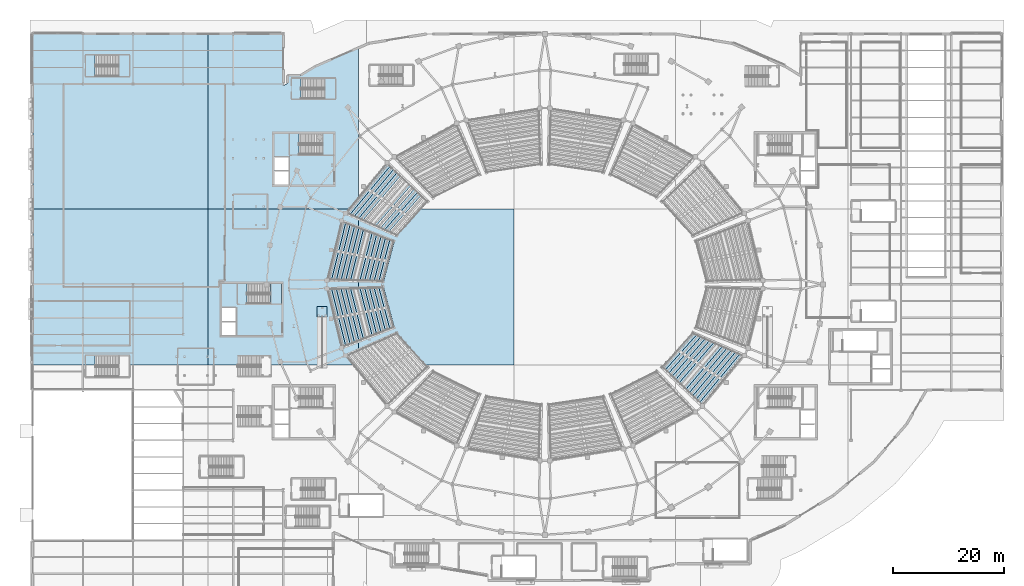
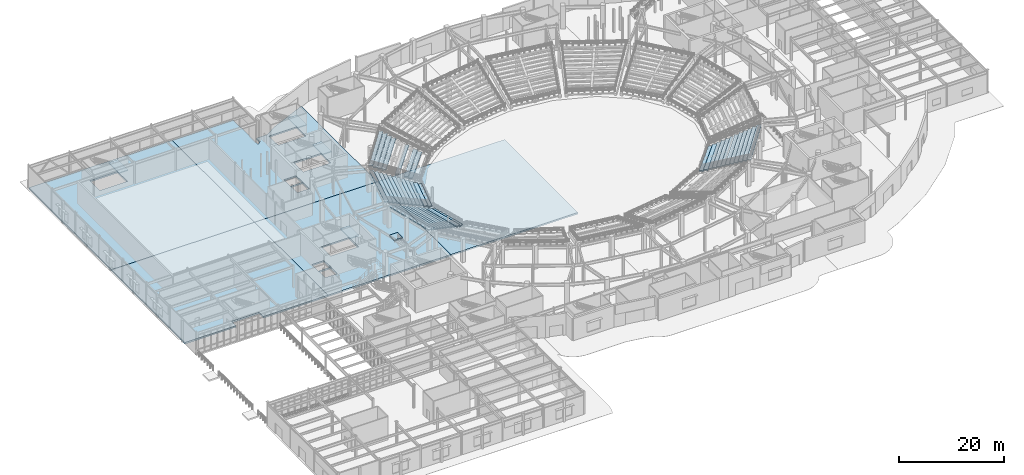
# One storey, part 44 of 79: 53 slabs, 5 elements without a shape of their own.
"""IFC4 building model written with IfcOpenShell, lengths in metres."""

from ifc_helpers import new_model, si_unit, direction, frame, origin, place, context, subcontext, project, spatial, polyline, outline, extrude, material, layer, layer_set, type_object, element, aggregate, save


model = new_model("IFC4")

# Units and contexts
model_context = context("Model", 3, precision=1e-05, world=origin(), true_north=direction((0.0, 1.0)))
body_context = subcontext(model_context, "Body", "Model", "MODEL_VIEW")
ifc_project = project(units=[si_unit("LENGTHUNIT", "METRE"), si_unit("AREAUNIT", "SQUARE_METRE"), si_unit("VOLUMEUNIT", "CUBIC_METRE"), si_unit("PLANEANGLEUNIT", "RADIAN"), si_unit("MASSUNIT", "GRAM", prefix="KILO")], contexts=[model_context])

# Site, building, storey
site_placement = place(None, origin())
site = spatial("IfcSite", under=ifc_project, at=site_placement, CompositionType="ELEMENT")
building_placement = place(site_placement, origin())
building = spatial("IfcBuilding", under=site, at=building_placement, Name="Glasvene Arena", CompositionType="ELEMENT")
storey_placement = place(building_placement, origin())
storey = spatial("IfcBuildingStorey", under=building, at=storey_placement, Name="L00", CompositionType="ELEMENT", Elevation=0.0)

# Slabs
ifc_material_1 = material(Name="Concrete C40/50", Category="concrete")
ifc_layer_1 = layer(ifc_material_1, 0.360107421875)
ifc_layer_set_1 = layer_set([ifc_layer_1], Name="Concrete C40/50")
slab_type_1 = type_object("IfcSlabType", Name="SL-L00-360", PredefinedType="FLOOR", material=ifc_layer_set_1)
slab_1_placement = place(storey_placement, frame((15.00048828125, 65.91259765625, -0.360107421875)))
element("IfcSlab", 1, at=slab_1_placement, inside=storey, type_object=slab_type_1, Name="Structural floor slab L00 sector 3-1 (27)", PredefinedType="FLOOR", context=body_context, shape_type="SweptSolid", body=[
    extrude(outline(polyline([(16.49951171875, 20.58740234375), (16.49951171875, -7.41259765625), (2.299560546875, -7.41259765625), (2.299560546875, -5.7626953125), (-3.798583984375, -5.7626953125), (-3.798583984375, -7.41259765625), (-15.00048828125, -7.41259765625), (-15.00048828125, 20.58740234375), (16.49951171875, 20.58740234375)])), origin(), (0.0, 0.0, 1.0), 0.360107421875),
])
slab_2_placement = place(storey_placement, frame((45.0, 72.5, -0.360107421875)))
element("IfcSlab", 2, at=slab_2_placement, inside=storey, type_object=slab_type_1, Name="Structural floor slab L00 sector 3-2 (28)", PredefinedType="FLOOR", context=body_context, shape_type="SweptSolid", body=[
    extrude(outline(polyline([(-13.5, 14.0), (13.5, 14.0), (13.5, -14.0), (-13.5, -14.0), (-13.5, 14.0)]), holes=[polyline([(-8.39990234375, -8.64990234375), (-8.39990234375, -6.199951171875), (-11.050048828125, -6.199951171875), (-11.050048828125, -8.64990234375), (-8.39990234375, -8.64990234375)]), polyline([(-8.39990234375, -6.10009765625), (-8.39990234375, -3.64990234375), (-11.050048828125, -3.64990234375), (-11.050048828125, -6.10009765625), (-8.39990234375, -6.10009765625)]), polyline([(-0.449951171875, -2.949951171875), (-0.449951171875, 0.60009765625), (-6.548095703125, 0.60009765625), (-6.548095703125, -2.949951171875), (-0.449951171875, -2.949951171875)])]), origin(), (0.0, 0.0, 1.0), 0.360107421875),
])
slab_3_placement = place(storey_placement, frame((72.5, 72.5, -0.360107421875)))
element("IfcSlab", 3, at=slab_3_placement, inside=storey, type_object=slab_type_1, Name="Structural floor slab L00 sector 3-3 (29)", PredefinedType="FLOOR", context=body_context, shape_type="SweptSolid", body=[
    extrude(outline(polyline([(-14.0, -14.0), (-14.0, 14.0), (14.0, 14.0), (14.0, -14.0), (-14.0, -14.0)])), origin(), (0.0, 0.0, 1.0), 0.360107421875),
])
slab_4_placement = place(storey_placement, frame((15.75, 102.25, -0.360107421875)))
element("IfcSlab", 4, at=slab_4_placement, inside=storey, type_object=slab_type_1, Name="Structural floor slab L00 sector 4-1 (33)", PredefinedType="FLOOR", context=body_context, shape_type="SweptSolid", body=[
    extrude(outline(polyline([(15.75, 15.75), (15.75, -15.75), (-15.75, -15.75), (-15.75, 15.75), (15.75, 15.75)]), holes=[polyline([(1.550048828125, 8.14990234375), (1.550048828125, 11.89990234375), (-4.548095703125, 11.89990234375), (-4.548095703125, 8.14990234375), (1.550048828125, 8.14990234375)])]), origin(), (0.0, 0.0, 1.0), 0.360107421875),
])
slab_5_placement = place(storey_placement, frame((46.05078125, 107.5517578125, -0.360107421875)))
element("IfcSlab", 5, at=slab_5_placement, inside=storey, type_object=slab_type_1, Name="Structural floor slab L00 sector 4-2 (34)", PredefinedType="FLOOR", context=body_context, shape_type="SweptSolid", body=[
    extrude(outline(polyline([(-1.05078125, 1.1005859375), (-0.250732421875, 1.583984375), (-0.250732421875, 2.998291015625), (2.0888671875, 2.998291015625), (4.716796875, 4.586669921875), (12.44921875, 7.940185546875), (12.44921875, -21.0517578125), (-14.55078125, -21.0517578125), (-14.55078125, 10.4482421875), (-1.05078125, 10.4482421875), (-1.05078125, 1.1005859375)]), holes=[polyline([(0.04931640625, -16.601806640625), (0.04931640625, -14.15185546875), (-2.600830078125, -14.15185546875), (-2.600830078125, -16.601806640625), (0.04931640625, -16.601806640625)]), polyline([(0.04931640625, -14.0517578125), (0.04931640625, -11.601806640625), (-2.600830078125, -11.601806640625), (-2.600830078125, -14.0517578125), (0.04931640625, -14.0517578125)]), polyline([(7.899169921875, -11.20166015625), (7.899169921875, -7.5517578125), (1.80126953125, -7.5517578125), (1.80126953125, -11.20166015625), (7.899169921875, -11.20166015625)]), polyline([(2.151123046875, -1.15185546875), (8.249267578125, -1.15185546875), (8.249267578125, 2.398193359375), (2.151123046875, 2.398193359375), (2.151123046875, -1.15185546875)])]), origin(), (0.0, 0.0, 1.0), 0.360107421875),
])

# Stair, slab
stair_type_1 = type_object("IfcStairType", Name="ST-HT-540-170", PredefinedType="HALF_TURN_STAIR", material=ifc_material_1)
stair_1_placement = place(storey_placement, origin())
stair_1 = element("IfcStair", 6, at=stair_1_placement, inside=storey, type_object=stair_type_1, Name="Protected escape stair ST-01 (L00 to L01)", PredefinedType="HALF_TURN_STAIR")
ifc_layer_2 = layer(ifc_material_1, 0.219970703125)
ifc_layer_set_2 = layer_set([ifc_layer_2], Name="Concrete C40/50")
slab_type_2 = type_object("IfcSlabType", Name="SL-LAND-220", PredefinedType="LANDING", material=ifc_layer_set_2)
slab_6_placement = place(storey_placement, frame((53.050048828125, 98.175048828125, 2.47998046875)))
slab_6 = element("IfcSlab", 7, at=slab_6_placement, type_object=slab_type_2, Name="Protected escape stair ST-01 (L00 to L01) landing 1", PredefinedType="LANDING", context=body_context, shape_type="SweptSolid", body=[
    extrude(outline(polyline([(-1.0, -1.925048828125), (1.0, -1.925048828125), (1.0, 1.925048828125), (-1.0, 1.925048828125), (-1.0, -1.925048828125)])), origin(), (0.0, 0.0, 1.0), 0.219970703125),
])
aggregate(stair_1, [slab_6])

stair_type_2 = type_object("IfcStairType", Name="ST-HT-540-165", PredefinedType="HALF_TURN_STAIR", material=ifc_material_1)
stair_2_placement = place(storey_placement, origin())
stair_2 = element("IfcStair", 8, at=stair_2_placement, inside=storey, type_object=stair_type_2, Name="Protected escape stair ST-07 (L00 to L01)", PredefinedType="HALF_TURN_STAIR")
slab_7_placement = place(storey_placement, frame((43.64990234375, 71.324951171875, 2.47998046875)))
slab_7 = element("IfcSlab", 9, at=slab_7_placement, type_object=slab_type_2, Name="Protected escape stair ST-07 (L00 to L01) landing 1", PredefinedType="LANDING", context=body_context, shape_type="SweptSolid", body=[
    extrude(outline(polyline([(-1.0, -1.875), (1.0, -1.875), (1.0, 1.875), (-1.0, 1.875), (-1.0, -1.875)])), origin(), (0.0, 0.0, 1.0), 0.219970703125),
])
aggregate(stair_2, [slab_7])

stair_3_placement = place(storey_placement, origin())
stair_3 = element("IfcStair", 10, at=stair_3_placement, inside=storey, type_object=stair_type_2, Name="Protected escape stair ST-12 (L00 to L01)", PredefinedType="HALF_TURN_STAIR")
slab_8_placement = place(storey_placement, frame((53.39990234375, 108.175048828125, 2.47998046875)))
slab_8 = element("IfcSlab", 11, at=slab_8_placement, type_object=slab_type_2, Name="Protected escape stair ST-12 (L00 to L01) landing 1", PredefinedType="LANDING", context=body_context, shape_type="SweptSolid", body=[
    extrude(outline(polyline([(-1.0, -1.875), (1.0, -1.875), (1.0, 1.875), (-1.0, 1.875), (-1.0, -1.875)])), origin(), (0.0, 0.0, 1.0), 0.219970703125),
])
aggregate(stair_3, [slab_8])

stair_type_3 = type_object("IfcStairType", Name="ST-HT-540-175", PredefinedType="HALF_TURN_STAIR", material=ifc_material_1)
stair_4_placement = place(storey_placement, origin())
stair_4 = element("IfcStair", 12, at=stair_4_placement, inside=storey, type_object=stair_type_3, Name="Protected escape stair ST-14 (L00 to L01)", PredefinedType="HALF_TURN_STAIR")
slab_9_placement = place(storey_placement, frame((16.39990234375, 112.27490234375, 2.47998046875)))
slab_9 = element("IfcSlab", 13, at=slab_9_placement, type_object=slab_type_2, Name="Protected escape stair ST-14 (L00 to L01) landing 1", PredefinedType="LANDING", context=body_context, shape_type="SweptSolid", body=[
    extrude(outline(polyline([(-1.0, -1.974853515625), (1.0, -1.974853515625), (1.0, 1.97509765625), (-1.0, 1.97509765625), (-1.0, -1.974853515625)])), origin(), (0.0, 0.0, 1.0), 0.219970703125),
])
aggregate(stair_4, [slab_9])

# Ramp, slab
ramp_type = type_object("IfcRampType", Name="RP-PED-180", PredefinedType="STRAIGHT_RUN_RAMP", material=ifc_material_1)
ramp_placement = place(storey_placement, origin())
ramp = element("IfcRamp", 14, at=ramp_placement, inside=storey, type_object=ramp_type, Name="Accessible 1:12 pedestrian ramp RP-P1", PredefinedType="STRAIGHT_RUN_RAMP")
ifc_layer_3 = layer(ifc_material_1, 0.25)
ifc_layer_set_3 = layer_set([ifc_layer_3], Name="Concrete C40/50")
slab_type_3 = type_object("IfcSlabType", Name="SL-LAND-250", PredefinedType="LANDING", material=ifc_layer_set_3)
slab_10_placement = place(storey_placement, frame((52.0, 68.06005859375, 0.510009765625)))
slab_10 = element("IfcSlab", 15, at=slab_10_placement, type_object=slab_type_3, Name="Accessible 1:12 pedestrian ramp RP-P1 landing 1", PredefinedType="LANDING", context=body_context, shape_type="SweptSolid", body=[
    extrude(outline(polyline([(-0.89990234375, -0.93994140625), (0.89990234375, -0.93994140625), (0.89990234375, 0.93994140625), (-0.89990234375, 0.93994140625), (-0.89990234375, -0.93994140625)])), origin(), (0.0, 0.0, 1.0), 0.25),
])
aggregate(ramp, [slab_10])

# Slabs
ifc_material_2 = material(Name="Precast concrete C50/60", Category="concrete")
ifc_layer_4 = layer(ifc_material_2, 0.219970703125)
ifc_layer_set_4 = layer_set([ifc_layer_4], Name="Precast concrete C50/60")
slab_type_4 = type_object("IfcSlabType", Name="SL-TIER-LOW", PredefinedType="USERDEFINED", material=ifc_layer_set_4)
slab_11_placement = place(storey_placement, frame((66.509765625, 85.927978515625, 1.300048828125)))
element("IfcSlab", 16, at=slab_11_placement, inside=storey, type_object=slab_type_4, Name="Stand lower tier sector 07 row 03", ObjectType="SEATING TIER", PredefinedType="USERDEFINED", context=body_context, shape_type="SweptSolid", body=[
    extrude(outline(polyline([(3.295166015625, 3.1005859375), (-2.59912109375, -3.565673828125), (-3.376708984375, -3.22265625), (2.6806640625, 3.687744140625), (3.295166015625, 3.1005859375)])), origin(), (0.0, 0.0, 1.0), 0.219970703125),
])
slab_12_placement = place(storey_placement, frame((65.813720703125, 86.39306640625, 1.679931640625)))
element("IfcSlab", 17, at=slab_12_placement, inside=storey, type_object=slab_type_4, Name="Stand lower tier sector 07 row 04", ObjectType="SEATING TIER", PredefinedType="USERDEFINED", context=body_context, shape_type="SweptSolid", body=[
    extrude(outline(polyline([(3.376708984375, 3.22265625), (-2.6806640625, -3.687744140625), (-3.45849609375, -3.3447265625), (2.76220703125, 3.809814453125), (3.376708984375, 3.22265625)])), origin(), (0.0, 0.0, 1.0), 0.219970703125),
])
slab_13_placement = place(storey_placement, frame((64.42138671875, 87.3232421875, 2.43994140625)))
element("IfcSlab", 18, at=slab_13_placement, inside=storey, type_object=slab_type_4, Name="Stand lower tier sector 07 row 06", ObjectType="SEATING TIER", PredefinedType="USERDEFINED", context=body_context, shape_type="SweptSolid", body=[
    extrude(outline(polyline([(3.539794921875, 3.467041015625), (-2.84375, -3.931884765625), (-3.62158203125, -3.5888671875), (2.92529296875, 4.05419921875), (3.539794921875, 3.467041015625)])), origin(), (0.0, 0.0, 1.0), 0.219970703125),
])
slab_14_placement = place(storey_placement, frame((62.3330078125, 88.71875, 3.580078125)))
element("IfcSlab", 19, at=slab_14_placement, inside=storey, type_object=slab_type_4, Name="Stand lower tier sector 07 row 09", ObjectType="SEATING TIER", PredefinedType="USERDEFINED", context=body_context, shape_type="SweptSolid", body=[
    extrude(outline(polyline([(3.784912109375, 3.833251953125), (-3.088623046875, -4.29833984375), (-3.8662109375, -3.95556640625), (3.17041015625, 4.42041015625), (3.784912109375, 3.833251953125)])), origin(), (0.0, 0.0, 1.0), 0.219970703125),
])
slab_15_placement = place(storey_placement, frame((61.636962890625, 89.183837890625, 3.9599609375)))
element("IfcSlab", 20, at=slab_15_placement, inside=storey, type_object=slab_type_4, Name="Stand lower tier sector 07 row 10", ObjectType="SEATING TIER", PredefinedType="USERDEFINED", context=body_context, shape_type="SweptSolid", body=[
    extrude(outline(polyline([(3.866455078125, 3.955322265625), (-3.170166015625, -4.420654296875), (-3.947998046875, -4.077392578125), (3.251708984375, 4.542724609375), (3.866455078125, 3.955322265625)])), origin(), (0.0, 0.0, 1.0), 0.219970703125),
])
slab_16_placement = place(storey_placement, frame((60.94091796875, 89.64892578125, 4.340087890625)))
element("IfcSlab", 21, at=slab_16_placement, inside=storey, type_object=slab_type_4, Name="Stand lower tier sector 07 row 11", ObjectType="SEATING TIER", PredefinedType="USERDEFINED", context=body_context, shape_type="SweptSolid", body=[
    extrude(outline(polyline([(3.94775390625, 4.07763671875), (-3.251953125, -4.54248046875), (-4.029541015625, -4.199462890625), (3.333251953125, 4.664794921875), (3.94775390625, 4.07763671875)])), origin(), (0.0, 0.0, 1.0), 0.219970703125),
])
slab_17_placement = place(storey_placement, frame((60.24462890625, 90.114013671875, 4.719970703125)))
element("IfcSlab", 22, at=slab_17_placement, inside=storey, type_object=slab_type_4, Name="Stand lower tier sector 07 row 12", ObjectType="SEATING TIER", PredefinedType="USERDEFINED", context=body_context, shape_type="SweptSolid", body=[
    extrude(outline(polyline([(4.029541015625, 4.19970703125), (-3.333251953125, -4.66455078125), (-4.111083984375, -4.321533203125), (3.4150390625, 4.786865234375), (4.029541015625, 4.19970703125)])), origin(), (0.0, 0.0, 1.0), 0.219970703125),
])
slab_18_placement = place(storey_placement, frame((63.574462890625, 77.213134765625, 0.5400390625)))
element("IfcSlab", 23, at=slab_18_placement, inside=storey, type_object=slab_type_4, Name="Stand lower tier sector 08 row 01", ObjectType="SEATING TIER", PredefinedType="USERDEFINED", context=body_context, shape_type="SweptSolid", body=[
    extrude(outline(polyline([(1.38818359375, 3.561767578125), (-0.56689453125, -3.725341796875), (-1.416748046875, -3.7060546875), (0.595703125, 3.869140625), (1.38818359375, 3.561767578125)])), origin(), (0.0, 0.0, 1.0), 0.219970703125),
])
slab_19_placement = place(storey_placement, frame((62.75341796875, 77.37646484375, 0.919921875)))
element("IfcSlab", 24, at=slab_19_placement, inside=storey, type_object=slab_type_4, Name="Stand lower tier sector 08 row 02", ObjectType="SEATING TIER", PredefinedType="USERDEFINED", context=body_context, shape_type="SweptSolid", body=[
    extrude(outline(polyline([(1.416748046875, 3.705810546875), (-0.595703125, -3.869384765625), (-1.445556640625, -3.85009765625), (0.624267578125, 4.01318359375), (1.416748046875, 3.705810546875)])), origin(), (0.0, 0.0, 1.0), 0.219970703125),
])
slab_20_placement = place(storey_placement, frame((61.93212890625, 77.539794921875, 1.300048828125)))
element("IfcSlab", 25, at=slab_20_placement, inside=storey, type_object=slab_type_4, Name="Stand lower tier sector 08 row 03", ObjectType="SEATING TIER", PredefinedType="USERDEFINED", context=body_context, shape_type="SweptSolid", body=[
    extrude(outline(polyline([(1.445556640625, 3.849853515625), (-0.624267578125, -4.013427734375), (-1.47412109375, -3.994140625), (0.653076171875, 4.1572265625), (1.445556640625, 3.849853515625)])), origin(), (0.0, 0.0, 1.0), 0.219970703125),
])
slab_21_placement = place(storey_placement, frame((61.111083984375, 77.703125, 1.679931640625)))
element("IfcSlab", 26, at=slab_21_placement, inside=storey, type_object=slab_type_4, Name="Stand lower tier sector 08 row 04", ObjectType="SEATING TIER", PredefinedType="USERDEFINED", context=body_context, shape_type="SweptSolid", body=[
    extrude(outline(polyline([(1.47412109375, 3.993896484375), (-0.653076171875, -4.157470703125), (-1.502685546875, -4.13818359375), (0.681640625, 4.30126953125), (1.47412109375, 3.993896484375)])), origin(), (0.0, 0.0, 1.0), 0.219970703125),
])
slab_22_placement = place(storey_placement, frame((60.2900390625, 77.866455078125, 2.06005859375)))
element("IfcSlab", 27, at=slab_22_placement, inside=storey, type_object=slab_type_4, Name="Stand lower tier sector 08 row 05", ObjectType="SEATING TIER", PredefinedType="USERDEFINED", context=body_context, shape_type="SweptSolid", body=[
    extrude(outline(polyline([(1.502685546875, 4.137939453125), (-0.681640625, -4.301513671875), (-1.531494140625, -4.2822265625), (0.710205078125, 4.4453125), (1.502685546875, 4.137939453125)])), origin(), (0.0, 0.0, 1.0), 0.219970703125),
])
slab_23_placement = place(storey_placement, frame((59.46875, 78.02978515625, 2.43994140625)))
element("IfcSlab", 28, at=slab_23_placement, inside=storey, type_object=slab_type_4, Name="Stand lower tier sector 08 row 06", ObjectType="SEATING TIER", PredefinedType="USERDEFINED", context=body_context, shape_type="SweptSolid", body=[
    extrude(outline(polyline([(1.531494140625, 4.281982421875), (-0.710205078125, -4.445556640625), (-1.56005859375, -4.42626953125), (0.739013671875, 4.58935546875), (1.531494140625, 4.281982421875)])), origin(), (0.0, 0.0, 1.0), 0.219970703125),
])
slab_24_placement = place(storey_placement, frame((58.647705078125, 78.193115234375, 2.820068359375)))
element("IfcSlab", 29, at=slab_24_placement, inside=storey, type_object=slab_type_4, Name="Stand lower tier sector 08 row 07", ObjectType="SEATING TIER", PredefinedType="USERDEFINED", context=body_context, shape_type="SweptSolid", body=[
    extrude(outline(polyline([(1.56005859375, 4.426025390625), (-0.739013671875, -4.589599609375), (-1.588623046875, -4.5703125), (0.767578125, 4.7333984375), (1.56005859375, 4.426025390625)])), origin(), (0.0, 0.0, 1.0), 0.219970703125),
])
slab_25_placement = place(storey_placement, frame((57.82666015625, 78.3564453125, 3.199951171875)))
element("IfcSlab", 30, at=slab_25_placement, inside=storey, type_object=slab_type_4, Name="Stand lower tier sector 08 row 08", ObjectType="SEATING TIER", PredefinedType="USERDEFINED", context=body_context, shape_type="SweptSolid", body=[
    extrude(outline(polyline([(1.588623046875, 4.570068359375), (-0.767578125, -4.733642578125), (-1.617431640625, -4.71435546875), (0.796142578125, 4.87744140625), (1.588623046875, 4.570068359375)])), origin(), (0.0, 0.0, 1.0), 0.219970703125),
])
slab_26_placement = place(storey_placement, frame((57.00537109375, 78.519775390625, 3.580078125)))
element("IfcSlab", 31, at=slab_26_placement, inside=storey, type_object=slab_type_4, Name="Stand lower tier sector 08 row 09", ObjectType="SEATING TIER", PredefinedType="USERDEFINED", context=body_context, shape_type="SweptSolid", body=[
    extrude(outline(polyline([(1.617431640625, 4.714111328125), (-0.796142578125, -4.877685546875), (-1.64599609375, -4.8583984375), (0.824951171875, 5.021728515625), (1.617431640625, 4.714111328125)])), origin(), (0.0, 0.0, 1.0), 0.219970703125),
])
slab_27_placement = place(storey_placement, frame((56.184326171875, 78.68310546875, 3.9599609375)))
element("IfcSlab", 32, at=slab_27_placement, inside=storey, type_object=slab_type_4, Name="Stand lower tier sector 08 row 10", ObjectType="SEATING TIER", PredefinedType="USERDEFINED", context=body_context, shape_type="SweptSolid", body=[
    extrude(outline(polyline([(1.64599609375, 4.8583984375), (-0.824951171875, -5.021728515625), (-1.674560546875, -5.00244140625), (0.853515625, 5.16552734375), (1.64599609375, 4.8583984375)])), origin(), (0.0, 0.0, 1.0), 0.219970703125),
])
slab_28_placement = place(storey_placement, frame((55.36328125, 78.846435546875, 4.340087890625)))
element("IfcSlab", 33, at=slab_28_placement, inside=storey, type_object=slab_type_4, Name="Stand lower tier sector 08 row 11", ObjectType="SEATING TIER", PredefinedType="USERDEFINED", context=body_context, shape_type="SweptSolid", body=[
    extrude(outline(polyline([(1.674560546875, 5.002197265625), (-0.853515625, -5.165771484375), (-1.703369140625, -5.146484375), (0.882080078125, 5.3095703125), (1.674560546875, 5.002197265625)])), origin(), (0.0, 0.0, 1.0), 0.219970703125),
])
slab_29_placement = place(storey_placement, frame((54.5419921875, 79.009765625, 4.719970703125)))
element("IfcSlab", 34, at=slab_29_placement, inside=storey, type_object=slab_type_4, Name="Stand lower tier sector 08 row 12", ObjectType="SEATING TIER", PredefinedType="USERDEFINED", context=body_context, shape_type="SweptSolid", body=[
    extrude(outline(polyline([(1.703369140625, 5.146240234375), (-0.882080078125, -5.309814453125), (-1.73193359375, -5.29052734375), (0.910888671875, 5.45361328125), (1.703369140625, 5.146240234375)])), origin(), (0.0, 0.0, 1.0), 0.219970703125),
])
slab_30_placement = place(storey_placement, frame((63.574462890625, 68.786865234375, 0.5400390625)))
element("IfcSlab", 35, at=slab_30_placement, inside=storey, type_object=slab_type_4, Name="Stand lower tier sector 09 row 01", ObjectType="SEATING TIER", PredefinedType="USERDEFINED", context=body_context, shape_type="SweptSolid", body=[
    extrude(outline(polyline([(-0.56689453125, 3.725341796875), (1.38818359375, -3.561767578125), (0.595703125, -3.869140625), (-1.416748046875, 3.7060546875), (-0.56689453125, 3.725341796875)])), origin(), (0.0, 0.0, 1.0), 0.219970703125),
])
slab_31_placement = place(storey_placement, frame((62.75341796875, 68.62353515625, 0.919921875)))
element("IfcSlab", 36, at=slab_31_placement, inside=storey, type_object=slab_type_4, Name="Stand lower tier sector 09 row 02", ObjectType="SEATING TIER", PredefinedType="USERDEFINED", context=body_context, shape_type="SweptSolid", body=[
    extrude(outline(polyline([(-0.595703125, 3.869384765625), (1.416748046875, -3.705810546875), (0.624267578125, -4.01318359375), (-1.445556640625, 3.85009765625), (-0.595703125, 3.869384765625)])), origin(), (0.0, 0.0, 1.0), 0.219970703125),
])
slab_32_placement = place(storey_placement, frame((61.93212890625, 68.460205078125, 1.300048828125)))
element("IfcSlab", 37, at=slab_32_placement, inside=storey, type_object=slab_type_4, Name="Stand lower tier sector 09 row 03", ObjectType="SEATING TIER", PredefinedType="USERDEFINED", context=body_context, shape_type="SweptSolid", body=[
    extrude(outline(polyline([(-0.624267578125, 4.013427734375), (1.445556640625, -3.849853515625), (0.653076171875, -4.1572265625), (-1.47412109375, 3.994140625), (-0.624267578125, 4.013427734375)])), origin(), (0.0, 0.0, 1.0), 0.219970703125),
])
slab_33_placement = place(storey_placement, frame((61.111083984375, 68.296875, 1.679931640625)))
element("IfcSlab", 38, at=slab_33_placement, inside=storey, type_object=slab_type_4, Name="Stand lower tier sector 09 row 04", ObjectType="SEATING TIER", PredefinedType="USERDEFINED", context=body_context, shape_type="SweptSolid", body=[
    extrude(outline(polyline([(-0.653076171875, 4.157470703125), (1.47412109375, -3.993896484375), (0.681640625, -4.30126953125), (-1.502685546875, 4.13818359375), (-0.653076171875, 4.157470703125)])), origin(), (0.0, 0.0, 1.0), 0.219970703125),
])
slab_34_placement = place(storey_placement, frame((60.2900390625, 68.133544921875, 2.06005859375)))
element("IfcSlab", 39, at=slab_34_placement, inside=storey, type_object=slab_type_4, Name="Stand lower tier sector 09 row 05", ObjectType="SEATING TIER", PredefinedType="USERDEFINED", context=body_context, shape_type="SweptSolid", body=[
    extrude(outline(polyline([(-0.681640625, 4.301513671875), (1.502685546875, -4.137939453125), (0.710205078125, -4.4453125), (-1.531494140625, 4.2822265625), (-0.681640625, 4.301513671875)])), origin(), (0.0, 0.0, 1.0), 0.219970703125),
])
slab_35_placement = place(storey_placement, frame((59.46875, 67.97021484375, 2.43994140625)))
element("IfcSlab", 40, at=slab_35_placement, inside=storey, type_object=slab_type_4, Name="Stand lower tier sector 09 row 06", ObjectType="SEATING TIER", PredefinedType="USERDEFINED", context=body_context, shape_type="SweptSolid", body=[
    extrude(outline(polyline([(-0.710205078125, 4.445556640625), (1.531494140625, -4.281982421875), (0.739013671875, -4.58935546875), (-1.56005859375, 4.42626953125), (-0.710205078125, 4.445556640625)])), origin(), (0.0, 0.0, 1.0), 0.219970703125),
])
slab_36_placement = place(storey_placement, frame((58.647705078125, 67.806884765625, 2.820068359375)))
element("IfcSlab", 41, at=slab_36_placement, inside=storey, type_object=slab_type_4, Name="Stand lower tier sector 09 row 07", ObjectType="SEATING TIER", PredefinedType="USERDEFINED", context=body_context, shape_type="SweptSolid", body=[
    extrude(outline(polyline([(-0.739013671875, 4.589599609375), (1.56005859375, -4.426025390625), (0.767578125, -4.7333984375), (-1.588623046875, 4.5703125), (-0.739013671875, 4.589599609375)])), origin(), (0.0, 0.0, 1.0), 0.219970703125),
])
slab_37_placement = place(storey_placement, frame((57.82666015625, 67.6435546875, 3.199951171875)))
element("IfcSlab", 42, at=slab_37_placement, inside=storey, type_object=slab_type_4, Name="Stand lower tier sector 09 row 08", ObjectType="SEATING TIER", PredefinedType="USERDEFINED", context=body_context, shape_type="SweptSolid", body=[
    extrude(outline(polyline([(-0.767578125, 4.733642578125), (1.588623046875, -4.570068359375), (0.796142578125, -4.87744140625), (-1.617431640625, 4.71435546875), (-0.767578125, 4.733642578125)])), origin(), (0.0, 0.0, 1.0), 0.219970703125),
])
slab_38_placement = place(storey_placement, frame((57.00537109375, 67.480224609375, 3.580078125)))
element("IfcSlab", 43, at=slab_38_placement, inside=storey, type_object=slab_type_4, Name="Stand lower tier sector 09 row 09", ObjectType="SEATING TIER", PredefinedType="USERDEFINED", context=body_context, shape_type="SweptSolid", body=[
    extrude(outline(polyline([(-0.796142578125, 4.877685546875), (1.617431640625, -4.714111328125), (0.824951171875, -5.021728515625), (-1.64599609375, 4.8583984375), (-0.796142578125, 4.877685546875)])), origin(), (0.0, 0.0, 1.0), 0.219970703125),
])
slab_39_placement = place(storey_placement, frame((56.184326171875, 67.31689453125, 3.9599609375)))
element("IfcSlab", 44, at=slab_39_placement, inside=storey, type_object=slab_type_4, Name="Stand lower tier sector 09 row 10", ObjectType="SEATING TIER", PredefinedType="USERDEFINED", context=body_context, shape_type="SweptSolid", body=[
    extrude(outline(polyline([(-0.824951171875, 5.021728515625), (1.64599609375, -4.8583984375), (0.853515625, -5.16552734375), (-1.674560546875, 5.00244140625), (-0.824951171875, 5.021728515625)])), origin(), (0.0, 0.0, 1.0), 0.219970703125),
])
slab_40_placement = place(storey_placement, frame((55.36328125, 67.153564453125, 4.340087890625)))
element("IfcSlab", 45, at=slab_40_placement, inside=storey, type_object=slab_type_4, Name="Stand lower tier sector 09 row 11", ObjectType="SEATING TIER", PredefinedType="USERDEFINED", context=body_context, shape_type="SweptSolid", body=[
    extrude(outline(polyline([(-0.853515625, 5.165771484375), (1.674560546875, -5.002197265625), (0.882080078125, -5.3095703125), (-1.703369140625, 5.146484375), (-0.853515625, 5.165771484375)])), origin(), (0.0, 0.0, 1.0), 0.219970703125),
])
slab_41_placement = place(storey_placement, frame((54.5419921875, 66.990234375, 4.719970703125)))
element("IfcSlab", 46, at=slab_41_placement, inside=storey, type_object=slab_type_4, Name="Stand lower tier sector 09 row 12", ObjectType="SEATING TIER", PredefinedType="USERDEFINED", context=body_context, shape_type="SweptSolid", body=[
    extrude(outline(polyline([(-0.882080078125, 5.309814453125), (1.703369140625, -5.146240234375), (0.910888671875, -5.45361328125), (-1.73193359375, 5.29052734375), (-0.882080078125, 5.309814453125)])), origin(), (0.0, 0.0, 1.0), 0.219970703125),
])
slab_42_placement = place(storey_placement, frame((116.097900390625, 61.00244140625, 0.5400390625)))
element("IfcSlab", 47, at=slab_42_placement, inside=storey, type_object=slab_type_4, Name="Stand lower tier sector 15 row 01", ObjectType="SEATING TIER", PredefinedType="USERDEFINED", context=body_context, shape_type="SweptSolid", body=[
    extrude(outline(polyline([(-3.1318359375, -2.8564453125), (2.435791015625, 3.3212890625), (3.213623046875, 2.978271484375), (-2.517333984375, -3.443603515625), (-3.1318359375, -2.8564453125)])), origin(), (0.0, 0.0, 1.0), 0.219970703125),
])
slab_43_placement = place(storey_placement, frame((116.794189453125, 60.537109375, 0.919921875)))
element("IfcSlab", 48, at=slab_43_placement, inside=storey, type_object=slab_type_4, Name="Stand lower tier sector 15 row 02", ObjectType="SEATING TIER", PredefinedType="USERDEFINED", context=body_context, shape_type="SweptSolid", body=[
    extrude(outline(polyline([(-3.213623046875, -2.978271484375), (2.517333984375, 3.443603515625), (3.295166015625, 3.1005859375), (-2.59912109375, -3.565673828125), (-3.213623046875, -2.978271484375)])), origin(), (0.0, 0.0, 1.0), 0.219970703125),
])
slab_44_placement = place(storey_placement, frame((117.490234375, 60.072021484375, 1.300048828125)))
element("IfcSlab", 49, at=slab_44_placement, inside=storey, type_object=slab_type_4, Name="Stand lower tier sector 15 row 03", ObjectType="SEATING TIER", PredefinedType="USERDEFINED", context=body_context, shape_type="SweptSolid", body=[
    extrude(outline(polyline([(-3.295166015625, -3.1005859375), (2.59912109375, 3.565673828125), (3.376708984375, 3.22265625), (-2.6806640625, -3.687744140625), (-3.295166015625, -3.1005859375)])), origin(), (0.0, 0.0, 1.0), 0.219970703125),
])
slab_45_placement = place(storey_placement, frame((118.186279296875, 59.60693359375, 1.679931640625)))
element("IfcSlab", 50, at=slab_45_placement, inside=storey, type_object=slab_type_4, Name="Stand lower tier sector 15 row 04", ObjectType="SEATING TIER", PredefinedType="USERDEFINED", context=body_context, shape_type="SweptSolid", body=[
    extrude(outline(polyline([(-3.376708984375, -3.22265625), (2.6806640625, 3.687744140625), (3.45849609375, 3.3447265625), (-2.76220703125, -3.809814453125), (-3.376708984375, -3.22265625)])), origin(), (0.0, 0.0, 1.0), 0.219970703125),
])
slab_46_placement = place(storey_placement, frame((118.882568359375, 59.141845703125, 2.06005859375)))
element("IfcSlab", 51, at=slab_46_placement, inside=storey, type_object=slab_type_4, Name="Stand lower tier sector 15 row 05", ObjectType="SEATING TIER", PredefinedType="USERDEFINED", context=body_context, shape_type="SweptSolid", body=[
    extrude(outline(polyline([(-3.45849609375, -3.3447265625), (2.76220703125, 3.809814453125), (3.539794921875, 3.466796875), (-2.84375, -3.93212890625), (-3.45849609375, -3.3447265625)])), origin(), (0.0, 0.0, 1.0), 0.219970703125),
])
slab_47_placement = place(storey_placement, frame((119.57861328125, 58.6767578125, 2.43994140625)))
element("IfcSlab", 52, at=slab_47_placement, inside=storey, type_object=slab_type_4, Name="Stand lower tier sector 15 row 06", ObjectType="SEATING TIER", PredefinedType="USERDEFINED", context=body_context, shape_type="SweptSolid", body=[
    extrude(outline(polyline([(-3.539794921875, -3.467041015625), (2.84375, 3.931884765625), (3.62158203125, 3.5888671875), (-2.92529296875, -4.05419921875), (-3.539794921875, -3.467041015625)])), origin(), (0.0, 0.0, 1.0), 0.219970703125),
])
slab_48_placement = place(storey_placement, frame((120.274658203125, 58.211669921875, 2.820068359375)))
element("IfcSlab", 53, at=slab_48_placement, inside=storey, type_object=slab_type_4, Name="Stand lower tier sector 15 row 07", ObjectType="SEATING TIER", PredefinedType="USERDEFINED", context=body_context, shape_type="SweptSolid", body=[
    extrude(outline(polyline([(-3.621337890625, -3.589111328125), (2.925537109375, 4.053955078125), (3.703125, 3.7109375), (-3.007080078125, -4.17626953125), (-3.621337890625, -3.589111328125)])), origin(), (0.0, 0.0, 1.0), 0.219970703125),
])
slab_49_placement = place(storey_placement, frame((120.970703125, 57.746337890625, 3.199951171875)))
element("IfcSlab", 54, at=slab_49_placement, inside=storey, type_object=slab_type_4, Name="Stand lower tier sector 15 row 08", ObjectType="SEATING TIER", PredefinedType="USERDEFINED", context=body_context, shape_type="SweptSolid", body=[
    extrude(outline(polyline([(-3.703125, -3.7109375), (3.007080078125, 4.17626953125), (3.784912109375, 3.833251953125), (-3.088623046875, -4.29833984375), (-3.703125, -3.7109375)])), origin(), (0.0, 0.0, 1.0), 0.219970703125),
])
slab_50_placement = place(storey_placement, frame((121.6669921875, 57.28125, 3.580078125)))
element("IfcSlab", 55, at=slab_50_placement, inside=storey, type_object=slab_type_4, Name="Stand lower tier sector 15 row 09", ObjectType="SEATING TIER", PredefinedType="USERDEFINED", context=body_context, shape_type="SweptSolid", body=[
    extrude(outline(polyline([(-3.784912109375, -3.833251953125), (3.088623046875, 4.29833984375), (3.8662109375, 3.95556640625), (-3.17041015625, -4.42041015625), (-3.784912109375, -3.833251953125)])), origin(), (0.0, 0.0, 1.0), 0.219970703125),
])
slab_51_placement = place(storey_placement, frame((122.363037109375, 56.816162109375, 3.9599609375)))
element("IfcSlab", 56, at=slab_51_placement, inside=storey, type_object=slab_type_4, Name="Stand lower tier sector 15 row 10", ObjectType="SEATING TIER", PredefinedType="USERDEFINED", context=body_context, shape_type="SweptSolid", body=[
    extrude(outline(polyline([(-3.866455078125, -3.955322265625), (3.170166015625, 4.420654296875), (3.947998046875, 4.077392578125), (-3.251708984375, -4.542724609375), (-3.866455078125, -3.955322265625)])), origin(), (0.0, 0.0, 1.0), 0.219970703125),
])
slab_52_placement = place(storey_placement, frame((123.05908203125, 56.35107421875, 4.340087890625)))
element("IfcSlab", 57, at=slab_52_placement, inside=storey, type_object=slab_type_4, Name="Stand lower tier sector 15 row 11", ObjectType="SEATING TIER", PredefinedType="USERDEFINED", context=body_context, shape_type="SweptSolid", body=[
    extrude(outline(polyline([(-3.94775390625, -4.07763671875), (3.251953125, 4.54248046875), (4.029541015625, 4.199462890625), (-3.333251953125, -4.664794921875), (-3.94775390625, -4.07763671875)])), origin(), (0.0, 0.0, 1.0), 0.219970703125),
])
slab_53_placement = place(storey_placement, frame((123.75537109375, 55.885986328125, 4.719970703125)))
element("IfcSlab", 58, at=slab_53_placement, inside=storey, type_object=slab_type_4, Name="Stand lower tier sector 15 row 12", ObjectType="SEATING TIER", PredefinedType="USERDEFINED", context=body_context, shape_type="SweptSolid", body=[
    extrude(outline(polyline([(-4.029541015625, -4.19970703125), (3.333251953125, 4.66455078125), (4.111083984375, 4.321533203125), (-3.4150390625, -4.786865234375), (-4.029541015625, -4.19970703125)])), origin(), (0.0, 0.0, 1.0), 0.219970703125),
])

save(model, "model.ifc")
